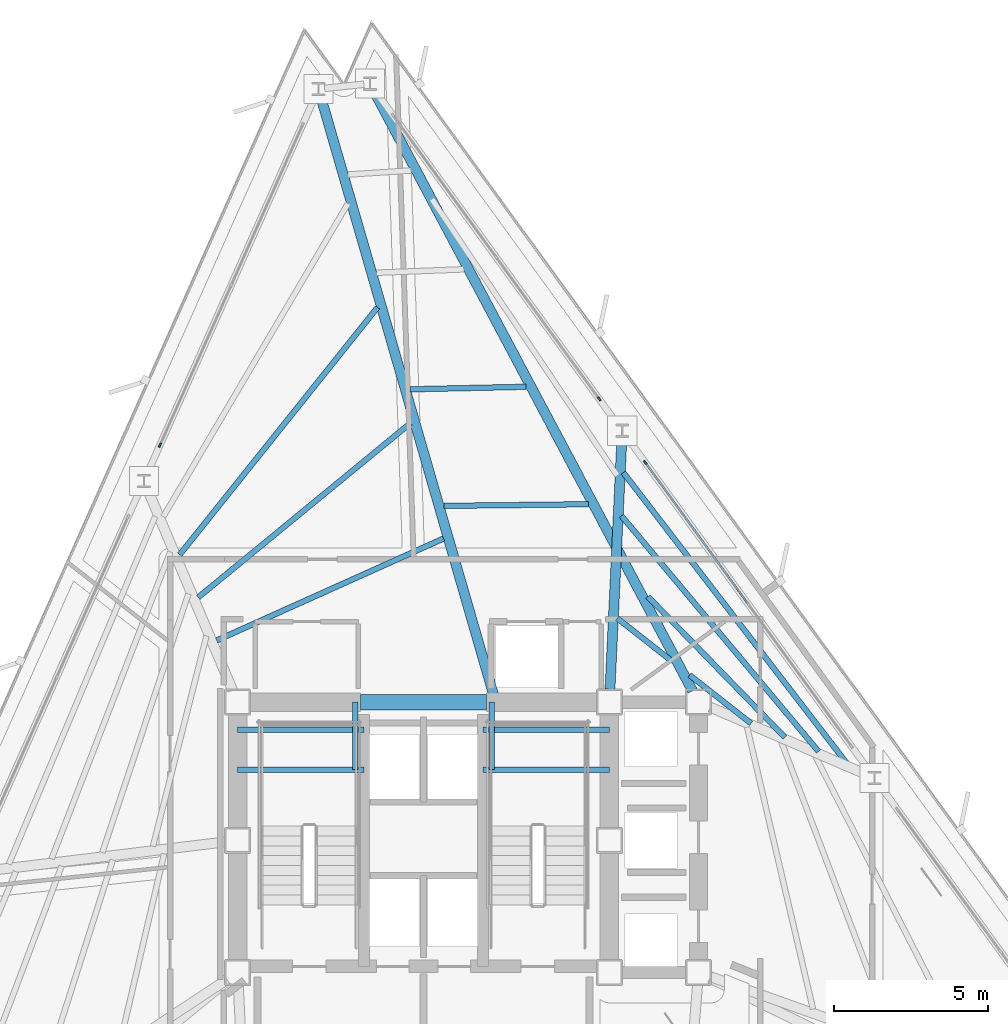
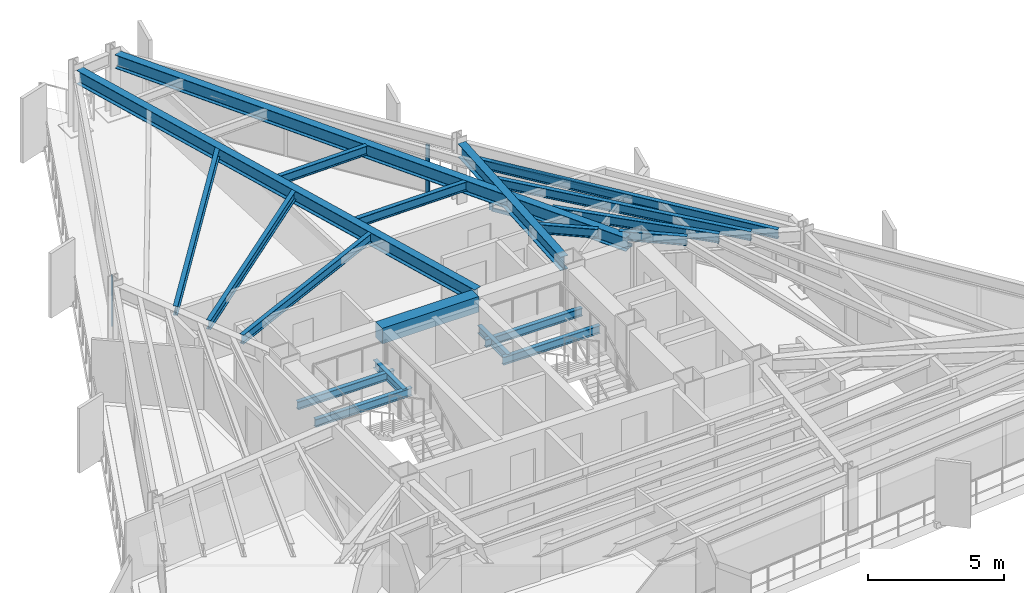
# One storey, part 4 of 12: 20 beams, 5 members, 3 elements without a shape of their own.
"""IFC4 building model written with IfcOpenShell, lengths in metres."""

from ifc_helpers import new_model, si_unit, direction, frame, origin, origin_2d, place, context, subcontext, project, spatial, rectangle, i_section, extrude, material, layer, layer_set, material_profile, profile_set, type_object, element, aggregate, save


model = new_model("IFC4")

# Units and contexts
model_context = context("Model", 3, precision=1e-05, world=origin(), true_north=direction((0.0, 1.0)))
body_context = subcontext(model_context, "Body", "Model", "MODEL_VIEW")
ifc_project = project(units=[si_unit("LENGTHUNIT", "METRE"), si_unit("AREAUNIT", "SQUARE_METRE"), si_unit("VOLUMEUNIT", "CUBIC_METRE"), si_unit("PLANEANGLEUNIT", "RADIAN"), si_unit("MASSUNIT", "GRAM", prefix="KILO")], contexts=[model_context])

# Site, building, storey
site_placement = place(None, origin())
site = spatial("IfcSite", under=ifc_project, at=site_placement, CompositionType="ELEMENT")
building_placement = place(site_placement, origin())
building = spatial("IfcBuilding", under=site, at=building_placement, Name="Rocaltana Carrier Exchange", CompositionType="ELEMENT")
storey_placement = place(building_placement, frame((0.0, 0.0, 104.639892578125)))
storey = spatial("IfcBuildingStorey", under=building, at=storey_placement, Name="L32", CompositionType="ELEMENT", Elevation=104.639892578125)

# Curtain wall, member
ifc_material_1 = material(Name="Aluminium 6063-T6", Category="aluminium")
ifc_layer = layer(ifc_material_1, 0.14990234375)
ifc_layer_set = layer_set([ifc_layer], Name="Aluminium 6063-T6")
curtain_wall_type = type_object("IfcCurtainWallType", Name="Mid-Tower Unitised Curtain Wall CW-03", PredefinedType="NOTDEFINED", material=ifc_layer_set)
curtain_wall_1_placement = place(storey_placement, origin())
curtain_wall_1 = element("IfcCurtainWall", 1, at=curtain_wall_1_placement, inside=storey, type_object=curtain_wall_type, Name="L32 CW-03 Run CW-L32-F1S2", PredefinedType="NOTDEFINED")
ifc_material_2 = material(Name="Aluminium 6063-T6", Category="aluminium")
ifc_material_profile_1 = material_profile(ifc_material_2, rectangle(XDim=0.06005859375, YDim=0.14990234375, at=origin_2d()), Name="AL-60X150")
ifc_profile_set_1 = profile_set([ifc_material_profile_1], Name="Aluminium 6063-T6")
member_type_1 = type_object("IfcMemberType", Name="CW-03 Mullion AL-60X150", PredefinedType="MULLION", material=ifc_profile_set_1)
member_1_placement = place(storey_placement, frame((7.22021484375, 12.29541015625, 0.0), z_axis=(0.0, 0.0, 1.0), x_axis=(-0.809013555195, -0.587789985889, 0.0)))
member_1 = element("IfcMember", 2, at=member_1_placement, type_object=member_type_1, Name="CW-03 mullion 3", PredefinedType="MULLION", context=body_context, shape_type="SweptSolid", body=[
    extrude(rectangle(XDim=0.06005859375, YDim=0.14990234375, at=origin_2d()), origin(), (0.0, 0.0, 1.0), 2.218017578125),
])

curtain_wall_2_placement = place(storey_placement, origin())
curtain_wall_2 = element("IfcCurtainWall", 3, at=curtain_wall_2_placement, inside=storey, type_object=curtain_wall_type, Name="L32 CW-03 Run CW-L32-F1S3", PredefinedType="NOTDEFINED")
member_2_placement = place(storey_placement, frame((5.715576171875, 14.366455078125, 0.0), z_axis=(0.0, 0.0, 1.0), x_axis=(-0.809013555195, -0.587789985889, 0.0)))
member_2 = element("IfcMember", 4, at=member_2_placement, type_object=member_type_1, Name="CW-03 mullion 1", PredefinedType="MULLION", context=body_context, shape_type="SweptSolid", body=[
    extrude(rectangle(XDim=0.06005859375, YDim=0.14990234375, at=origin_2d()), origin(), (0.0, 0.0, 1.0), 2.218017578125),
])
aggregate(curtain_wall_2, [member_2])

curtain_wall_3_placement = place(storey_placement, origin())
curtain_wall_3 = element("IfcCurtainWall", 5, at=curtain_wall_3_placement, inside=storey, type_object=curtain_wall_type, Name="L32 CW-03 Run CW-L32-F2S1", PredefinedType="NOTDEFINED")
member_3_placement = place(storey_placement, frame((-8.577392578125, 12.8642578125, 0.0), z_axis=(0.0, 0.0, 1.0), x_axis=(0.913543791084, -0.406740386206, 0.0)))
member_3 = element("IfcMember", 6, at=member_3_placement, type_object=member_type_1, Name="CW-03 mullion 3", PredefinedType="MULLION", context=body_context, shape_type="SweptSolid", body=[
    extrude(rectangle(XDim=0.06005859375, YDim=0.14990234375, at=origin_2d()), origin(), (0.0, 0.0, 1.0), 2.218017578125),
])
aggregate(curtain_wall_3, [member_3])

# Member
ifc_material_3 = material(Name="Aluminium 6063-T6", Category="aluminium")
ifc_material_profile_2 = material_profile(ifc_material_3, rectangle(XDim=0.06005859375, YDim=0.14990234375, at=origin_2d()), Name="AL-60X150")
ifc_profile_set_2 = profile_set([ifc_material_profile_2], Name="Aluminium 6063-T6")
member_type_2 = type_object("IfcMemberType", Name="CW-03 Transom AL-60X150", PredefinedType="USERDEFINED", material=ifc_profile_set_2)
member_4_placement = place(storey_placement, frame((10.554931640625, 7.70556640625, 0.030029296875), z_axis=(-0.58778321885, 0.809018471753, 0.0), x_axis=(-0.809018471753, -0.58778321885, 0.0)))
member_4 = element("IfcMember", 7, at=member_4_placement, type_object=member_type_2, Name="CW-03 transom 2.1", ObjectType="TRANSOM", PredefinedType="USERDEFINED", context=body_context, shape_type="SweptSolid", body=[
    extrude(rectangle(XDim=0.06005859375, YDim=0.14990234375, at=origin_2d()), origin(), (0.0, 0.0, 1.0), 5.6435546875),
])

member_5_placement = place(storey_placement, frame((10.554931640625, 7.70556640625, 2.18798828125), z_axis=(-0.58778321885, 0.809018471753, 0.0), x_axis=(-0.809018471753, -0.58778321885, 0.0)))
member_5 = element("IfcMember", 8, at=member_5_placement, type_object=member_type_2, Name="CW-03 transom 2.2", ObjectType="TRANSOM", PredefinedType="USERDEFINED", context=body_context, shape_type="SweptSolid", body=[
    extrude(rectangle(XDim=0.06005859375, YDim=0.14990234375, at=origin_2d()), origin(), (0.0, 0.0, 1.0), 5.6435546875),
])

aggregate(curtain_wall_1, [member_1, member_4, member_5])

# Beams
ifc_material_4 = material(Name="Concrete C60/75", Category="concrete")
ifc_material_profile_3 = material_profile(ifc_material_4, rectangle(XDim=0.5, YDim=0.699951171875, at=origin_2d()), Name="RC-BM-500X700")
ifc_profile_set_3 = profile_set([ifc_material_profile_3], Name="Concrete C60/75")
beam_type_1 = type_object("IfcBeamType", Name="Core Coupling Lintel 500x700", PredefinedType="LINTEL", material=ifc_profile_set_3)
beam_1_placement = place(storey_placement, frame((-2.050048828125, 4.5, 2.43798828125), z_axis=(1.0, 0.0, 0.0), x_axis=(0.0, 1.0, 0.0)))
element("IfcBeam", 9, at=beam_1_placement, inside=storey, type_object=beam_type_1, Name="L32 Core Coupling Lintel CL-N", PredefinedType="LINTEL", context=body_context, shape_type="SweptSolid", body=[
    extrude(rectangle(XDim=0.5, YDim=0.699951171875, at=origin_2d()), origin(), (0.0, 0.0, 1.0), 4.10009765625),
])
ifc_material_5 = material(Name="Steel S355", Category="steel")
ifc_material_profile_4 = material_profile(ifc_material_5, i_section(OverallWidth=0.172119140625, OverallDepth=0.35791015625, WebThickness=0.0078125, FlangeThickness=0.01318359375, FilletRadius=0.011962890625, at=origin_2d()), Name="W14X38")
ifc_profile_set_4 = profile_set([ifc_material_profile_4], Name="Steel S355")
beam_type_2 = type_object("IfcBeamType", Name="Floor Joist W14X38", PredefinedType="JOIST", material=ifc_profile_set_4)
for number, where, z_axis, x_axis, name in (
    (10, (-6.050048828125, 2.300048828125, 1.14111328125), (1.0, 0.0, 0.0), (0.0, 1.0, 0.0), "L32 ST-1 Landing Carrier 1"),
    (11, (1.93994140625, 2.300048828125, 1.14111328125), (1.0, 0.0, 0.0), (0.0, 1.0, 0.0), "L32 ST-2 Landing Carrier 1"),
    (12, (-6.050048828125, 3.60009765625, 1.14111328125), (1.0, 0.0, 0.0), (0.0, 1.0, 0.0), "L32 ST-1 Landing Carrier 2"),
    (13, (1.93994140625, 3.60009765625, 1.14111328125), (1.0, 0.0, 0.0), (0.0, 1.0, 0.0), "L32 ST-2 Landing Carrier 2"),
):
    element("IfcBeam", number, at=place(storey_placement, frame(where, z_axis=z_axis, x_axis=x_axis)), inside=storey, type_object=beam_type_2, Name=name, PredefinedType="JOIST", context=body_context, shape_type="SweptSolid", body=[
        extrude(i_section(OverallWidth=0.172119140625, OverallDepth=0.35791015625, WebThickness=0.0078125, FlangeThickness=0.01318359375, FilletRadius=0.011962890625, at=origin_2d()), origin(), (0.0, 0.0, 1.0), 4.110107421875),
    ])
for number, where, z_axis, x_axis, name in (
    (14, (-2.219970703125, 2.300048828125, 1.14111328125), (0.0, 1.0, 0.0), (-1.0, 0.0, 0.0), "L32 ST-1 Landing Cross Trimmer"),
    (15, (2.219970703125, 2.300048828125, 1.14111328125), (0.0, 1.0, 0.0), (-1.0, 0.0, 0.0), "L32 ST-2 Landing Cross Trimmer"),
):
    element("IfcBeam", number, at=place(storey_placement, frame(where, z_axis=z_axis, x_axis=x_axis)), inside=storey, type_object=beam_type_2, Name=name, PredefinedType="JOIST", context=body_context, shape_type="SweptSolid", body=[
        extrude(i_section(OverallWidth=0.172119140625, OverallDepth=0.35791015625, WebThickness=0.0078125, FlangeThickness=0.01318359375, FilletRadius=0.011962890625, at=origin_2d()), origin(), (0.0, 0.0, 1.0), 2.199951171875),
    ])
ifc_material_6 = material(Name="Steel S355", Category="steel")
ifc_material_profile_5 = material_profile(ifc_material_6, i_section(OverallWidth=0.179931640625, OverallDepth=0.4130859375, WebThickness=0.009765625, FlangeThickness=0.01611328125, FilletRadius=0.012939453125, at=origin_2d()), Name="W16X50")
ifc_profile_set_5 = profile_set([ifc_material_profile_5], Name="Steel S355")
beam_type_3 = type_object("IfcBeamType", Name="Floor Joist W16X50", PredefinedType="JOIST", material=ifc_profile_set_5)
beam_2_placement = place(storey_placement, frame((10.66015625, 3.806640625, 2.58154296875), z_axis=(-0.786171683664, 0.618008158365, 0.0), x_axis=(-0.618008158365, -0.786171683664, 0.0)))
element("IfcBeam", 16, at=beam_2_placement, inside=storey, type_object=beam_type_3, Name="FJ-L32-02-1S1", PredefinedType="JOIST", context=body_context, shape_type="SweptSolid", body=[
    extrude(i_section(OverallWidth=0.179931640625, OverallDepth=0.4130859375, WebThickness=0.009765625, FlangeThickness=0.01611328125, FilletRadius=0.012939453125, at=origin_2d()), origin(), (0.0, 0.0, 1.0), 2.5419921875),
])
beam_3_placement = place(storey_placement, frame((8.051025390625, 5.85791015625, 2.58154296875), z_axis=(-0.786142704991, 0.61804502052, 0.0), x_axis=(-0.61804502052, -0.786142704991, 0.0)))
element("IfcBeam", 17, at=beam_3_placement, inside=storey, type_object=beam_type_3, Name="FJ-L32-02-1S2", PredefinedType="JOIST", context=body_context, shape_type="SweptSolid", body=[
    extrude(i_section(OverallWidth=0.179931640625, OverallDepth=0.4130859375, WebThickness=0.009765625, FlangeThickness=0.01611328125, FilletRadius=0.012939453125, at=origin_2d()), origin(), (0.0, 0.0, 1.0), 2.21923828125),
])
beam_4_placement = place(storey_placement, frame((11.76220703125, 3.35302734375, 2.58154296875), z_axis=(-0.697417522087, 0.716665054182, 0.0), x_axis=(-0.716665054182, -0.697417522087, 0.0)))
element("IfcBeam", 18, at=beam_4_placement, inside=storey, type_object=beam_type_3, Name="FJ-L32-02-2", PredefinedType="JOIST", context=body_context, shape_type="SweptSolid", body=[
    extrude(i_section(OverallWidth=0.179931640625, OverallDepth=0.4130859375, WebThickness=0.009765625, FlangeThickness=0.01611328125, FilletRadius=0.012939453125, at=origin_2d()), origin(), (0.0, 0.0, 1.0), 6.392822265625),
])
beam_5_placement = place(storey_placement, frame((12.85888671875, 2.891845703125, 2.58154296875), z_axis=(-0.641626502417, 0.767017230182, 0.0), x_axis=(-0.767017230182, -0.641626502417, 0.0)))
element("IfcBeam", 19, at=beam_5_placement, inside=storey, type_object=beam_type_3, Name="FJ-L32-02-3", PredefinedType="JOIST", context=body_context, shape_type="SweptSolid", body=[
    extrude(i_section(OverallWidth=0.179931640625, OverallDepth=0.4130859375, WebThickness=0.009765625, FlangeThickness=0.01611328125, FilletRadius=0.012939453125, at=origin_2d()), origin(), (0.0, 0.0, 1.0), 10.0),
])
beam_6_placement = place(storey_placement, frame((13.7802734375, 2.5009765625, 2.58154296875), z_axis=(-0.60925224181, 0.792976485054, 0.0), x_axis=(-0.792976485054, -0.60925224181, 0.0)))
element("IfcBeam", 20, at=beam_6_placement, inside=storey, type_object=beam_type_3, Name="FJ-L32-02-4", PredefinedType="JOIST", context=body_context, shape_type="SweptSolid", body=[
    extrude(i_section(OverallWidth=0.179931640625, OverallDepth=0.4130859375, WebThickness=0.009765625, FlangeThickness=0.01611328125, FilletRadius=0.012939453125, at=origin_2d()), origin(), (0.0, 0.0, 1.0), 11.9423828125),
])
beam_7_placement = place(storey_placement, frame((5.372802734375, 10.93994140625, 2.58154296875), z_axis=(-0.999937391673, -0.01118984958, 0.0), x_axis=(0.01118984958, -0.999937391673, 0.0)))
element("IfcBeam", 21, at=beam_7_placement, inside=storey, type_object=beam_type_3, Name="FJ-L32-04-1", PredefinedType="JOIST", context=body_context, shape_type="SweptSolid", body=[
    extrude(i_section(OverallWidth=0.179931640625, OverallDepth=0.4130859375, WebThickness=0.009765625, FlangeThickness=0.01611328125, FilletRadius=0.012939453125, at=origin_2d()), origin(), (0.0, 0.0, 1.0), 4.712646484375),
])
beam_8_placement = place(storey_placement, frame((3.34130859375, 14.762939453125, 2.58154296875), z_axis=(-0.999758539531, -0.02197413559, 0.0), x_axis=(0.02197413559, -0.999758539531, 0.0)))
element("IfcBeam", 22, at=beam_8_placement, inside=storey, type_object=beam_type_3, Name="FJ-L32-04-2", PredefinedType="JOIST", context=body_context, shape_type="SweptSolid", body=[
    extrude(i_section(OverallWidth=0.179931640625, OverallDepth=0.4130859375, WebThickness=0.009765625, FlangeThickness=0.01611328125, FilletRadius=0.012939453125, at=origin_2d()), origin(), (0.0, 0.0, 1.0), 3.777587890625),
])
beam_9_placement = place(storey_placement, frame((0.650390625, 9.82373046875, 2.58154296875), z_axis=(-0.912122924313, -0.409916785388, 0.0), x_axis=(0.409916785388, -0.912122924313, 0.0)))
element("IfcBeam", 23, at=beam_9_placement, inside=storey, type_object=beam_type_3, Name="FJ-L32-05-1", PredefinedType="JOIST", context=body_context, shape_type="SweptSolid", body=[
    extrude(i_section(OverallWidth=0.179931640625, OverallDepth=0.4130859375, WebThickness=0.009765625, FlangeThickness=0.01611328125, FilletRadius=0.012939453125, at=origin_2d()), origin(), (0.0, 0.0, 1.0), 8.09228515625),
])
beam_10_placement = place(storey_placement, frame((-0.423583984375, 13.579833984375, 2.58154296875), z_axis=(-0.772904703417, -0.634522118949, 0.0), x_axis=(0.634522118949, -0.772904703417, 0.0)))
element("IfcBeam", 24, at=beam_10_placement, inside=storey, type_object=beam_type_3, Name="FJ-L32-05-2", PredefinedType="JOIST", context=body_context, shape_type="SweptSolid", body=[
    extrude(i_section(OverallWidth=0.179931640625, OverallDepth=0.4130859375, WebThickness=0.009765625, FlangeThickness=0.01611328125, FilletRadius=0.012939453125, at=origin_2d()), origin(), (0.0, 0.0, 1.0), 8.937744140625),
])
beam_11_placement = place(storey_placement, frame((-1.49609375, 17.348388671875, 2.58154296875), z_axis=(-0.624570833633, -0.78096816438, 0.0), x_axis=(0.78096816438, -0.624570833633, 0.0)))
element("IfcBeam", 25, at=beam_11_placement, inside=storey, type_object=beam_type_3, Name="FJ-L32-05-3", PredefinedType="JOIST", context=body_context, shape_type="SweptSolid", body=[
    extrude(i_section(OverallWidth=0.179931640625, OverallDepth=0.4130859375, WebThickness=0.009765625, FlangeThickness=0.01611328125, FilletRadius=0.012939453125, at=origin_2d()), origin(), (0.0, 0.0, 1.0), 10.307373046875),
])
ifc_material_7 = material(Name="Steel S355", Category="steel")
ifc_material_profile_6 = material_profile(ifc_material_7, i_section(OverallWidth=0.323974609375, OverallDepth=0.611083984375, WebThickness=0.0126953125, FlangeThickness=0.01904296875, FilletRadius=0.01611328125, at=origin_2d()), Name="W24X104")
ifc_profile_set_6 = profile_set([ifc_material_profile_6], Name="Steel S355")
beam_type_4 = type_object("IfcBeamType", Name="Radial Girder W24X104", PredefinedType="BEAM", material=ifc_profile_set_6)
beam_12_placement = place(storey_placement, frame((6.069580078125, 4.91650390625, 2.482666015625), z_axis=(0.047278898031, 0.998881727634, 0.0), x_axis=(-0.998881727634, 0.047278898031, 0.0)))
element("IfcBeam", 26, at=beam_12_placement, inside=storey, type_object=beam_type_4, Name="RG-L32-03", PredefinedType="BEAM", context=body_context, shape_type="SweptSolid", body=[
    extrude(i_section(OverallWidth=0.323974609375, OverallDepth=0.611083984375, WebThickness=0.0126953125, FlangeThickness=0.01904296875, FilletRadius=0.01611328125, at=origin_2d()), origin(), (0.0, 0.0, 1.0), 8.22607421875),
])
beam_13_placement = place(storey_placement, frame((8.75439453125, 4.868408203125, 2.482666015625), z_axis=(-0.469068298705, 0.883161894077, 0.0), x_axis=(-0.883161894077, -0.469068298705, 0.0)))
element("IfcBeam", 27, at=beam_13_placement, inside=storey, type_object=beam_type_4, Name="RG-L32-04", PredefinedType="BEAM", context=body_context, shape_type="SweptSolid", body=[
    extrude(i_section(OverallWidth=0.323974609375, OverallDepth=0.611083984375, WebThickness=0.0126953125, FlangeThickness=0.01904296875, FilletRadius=0.01611328125, at=origin_2d()), origin(), (0.0, 0.0, 1.0), 22.17822265625),
])
beam_14_placement = place(storey_placement, frame((2.28271484375, 4.732421875, 2.482666015625), z_axis=(-0.277657134471, 0.960680235915, 0.0), x_axis=(-0.960680235915, -0.277657134471, 0.0)))
element("IfcBeam", 28, at=beam_14_placement, inside=storey, type_object=beam_type_4, Name="RG-L32-05", PredefinedType="BEAM", context=body_context, shape_type="SweptSolid", body=[
    extrude(i_section(OverallWidth=0.323974609375, OverallDepth=0.611083984375, WebThickness=0.0126953125, FlangeThickness=0.01904296875, FilletRadius=0.01611328125, at=origin_2d()), origin(), (0.0, 0.0, 1.0), 20.330810546875),
])

save(model, "model.ifc")
